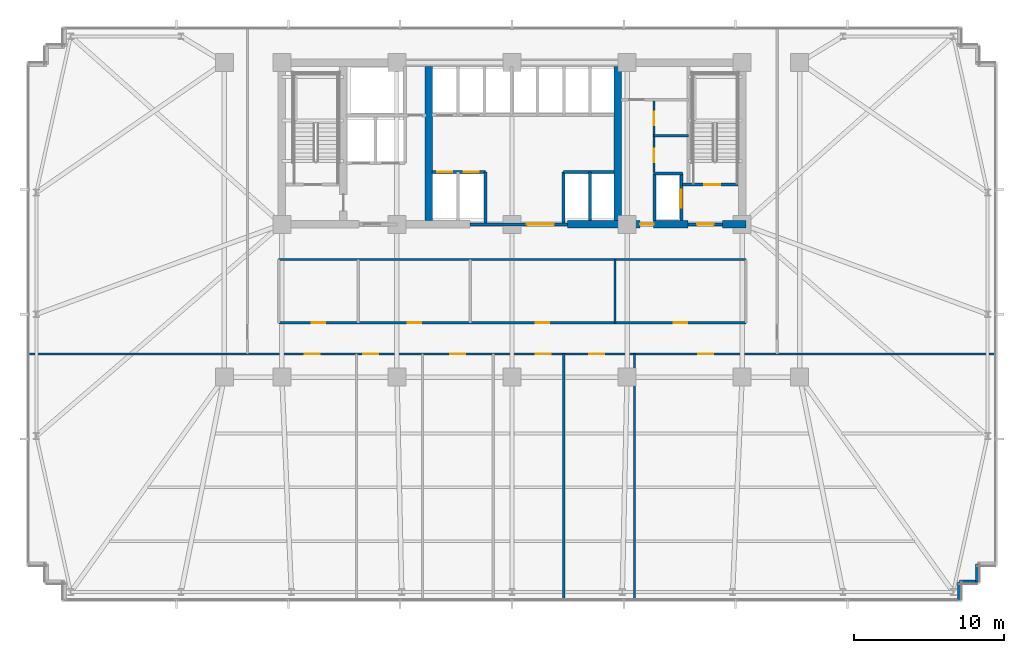
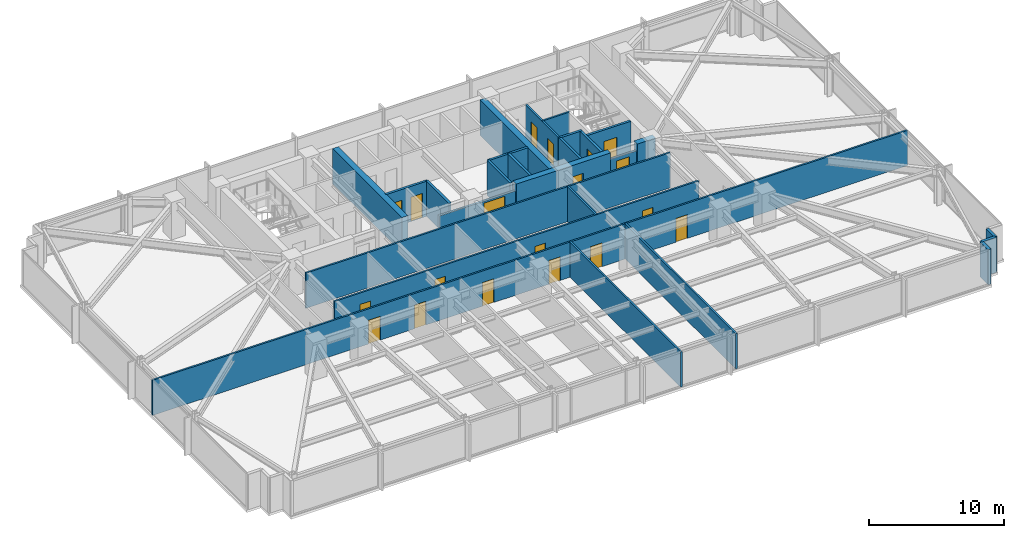
# One storey, part 25 of 32: 26 walls, 19 doors, 19 openings.
"""IFC4 building model written with IfcOpenShell, lengths in metres."""

from ifc_helpers import new_model, si_unit, direction, frame, frame_2d, origin, place, context, subcontext, project, spatial, rectangle, extrude, material, layer, layer_set, type_object, element, fill, save


model = new_model("IFC4")

# Units and contexts
model_context = context("Model", 3, precision=1e-05, world=origin(), true_north=direction((0.0, 1.0)))
body_context = subcontext(model_context, "Body", "Model", "MODEL_VIEW")
ifc_project = project(units=[si_unit("LENGTHUNIT", "METRE"), si_unit("AREAUNIT", "SQUARE_METRE"), si_unit("VOLUMEUNIT", "CUBIC_METRE"), si_unit("PLANEANGLEUNIT", "RADIAN"), si_unit("MASSUNIT", "GRAM", prefix="KILO")], contexts=[model_context])

# Site, building, storey
site_placement = place(None, origin())
site = spatial("IfcSite", under=ifc_project, at=site_placement, CompositionType="ELEMENT")
building_placement = place(site_placement, origin())
building = spatial("IfcBuilding", under=site, at=building_placement, Name="Yelkora Congress Tower", CompositionType="ELEMENT")
storey_placement = place(building_placement, frame((0.0, 0.0, 57.60009765625)))
storey = spatial("IfcBuildingStorey", under=building, at=storey_placement, Name="L14", CompositionType="ELEMENT", Elevation=57.60009765625)

# Wall, opening, door
ifc_material_1 = material(Name="Concrete C60/75", Category="concrete")
ifc_layer_1 = layer(ifc_material_1, 0.5)
ifc_layer_set_1 = layer_set([ifc_layer_1], Name="Concrete C60/75")
wall_type_1 = type_object("IfcWallType", Name="WALL-CORE-INT-500", PredefinedType="SHEAR", material=ifc_layer_set_1)
wall_1_placement = place(storey_placement, frame((42.10009765625, 35.39990234375, 0.0), z_axis=(0.0, 0.0, 1.0), x_axis=(1.0, 0.0, 0.0)))
wall_1 = element("IfcWall", 1, at=wall_1_placement, inside=storey, type_object=wall_type_1, Name="L14 Rear Core South-East Shear Wall A", PredefinedType="SHEAR", context=body_context, shape_type="SweptSolid", body=[
    extrude(rectangle(XDim=8.0498046875, YDim=0.5, at=frame_2d((4.02490234375, 0.0))), origin(), (0.0, 0.0, 1.0), 3.179931640625),
])
opening_1_placement = place(wall_1_placement, frame((4.85009765625, 0.0, 0.0)))
opening_1 = element("IfcOpeningElement", 2, at=opening_1_placement, cuts=wall_1, Name="Opening DR-090F6", PredefinedType="OPENING", context=body_context, shape_type="SweptSolid", body=[
    extrude(rectangle(XDim=0.89990234375, YDim=2.14990234375, at=frame_2d((0.449951171875, 1.074951171875))), frame((0.0, 0.260009765625, 0.0), z_axis=(0.0, -1.0, 0.0), x_axis=(1.0, 0.0, 0.0)), (0.0, 0.0, 1.0), 0.52001953125),
])
ifc_material_2 = material(Name="Painted steel riser fire door leaf", Category="steel")
door_type_1 = type_object("IfcDoorType", Name="DOOR-FD60-900", OperationType="NOTDEFINED", PredefinedType="DOOR", material=ifc_material_2)
door_1_placement = place(opening_1_placement, origin())
door_1 = element("IfcDoor", 3, at=door_1_placement, inside=storey, type_object=door_type_1, Name="L14 Core Washroom Lobby Door", OperationType="SINGLE_SWING_RIGHT", OverallHeight=2.14990234375, OverallWidth=0.89990234375, PredefinedType="DOOR", context=body_context, shape_type="SweptSolid", body=[
    extrude(rectangle(XDim=0.89990234375, YDim=2.14990234375, at=frame_2d((0.449951171875, 1.074951171875))), frame((0.0, 0.02490234375, 0.0), z_axis=(0.0, -1.0, 0.0), x_axis=(1.0, 0.0, 0.0)), (0.0, 0.0, 1.0), 0.050048828125),
])
fill(opening_1, door_1)

# Walls
wall_2_placement = place(storey_placement, frame((52.449951171875, 35.39990234375, 0.0), z_axis=(0.0, 0.0, 1.0), x_axis=(1.0, 0.0, 0.0)))
element("IfcWall", 4, at=wall_2_placement, inside=storey, type_object=wall_type_1, Name="L14 Rear Core South-East Shear Wall B", PredefinedType="SHEAR", context=body_context, shape_type="SweptSolid", body=[
    extrude(rectangle(XDim=1.56005859375, YDim=0.5, at=frame_2d((0.780029296875, 0.0))), origin(), (0.0, 0.0, 1.0), 3.179931640625),
])
for number, where, z_axis, x_axis, name in (
    (5, (32.85009765625, 35.64990234375, 0.0), (0.0, 0.0, 1.0), (0.0, 1.0, 0.0), "L14 Rear Core Cross Shear Wall C2"),
    (6, (45.449951171875, 35.64990234375, 0.0), (0.0, 0.0, 1.0), (0.0, 1.0, 0.0), "L14 Rear Core Cross Shear Wall C3"),
):
    element("IfcWall", number, at=place(storey_placement, frame(where, z_axis=z_axis, x_axis=x_axis)), inside=storey, type_object=wall_type_1, Name=name, PredefinedType="SHEAR", context=body_context, shape_type="SweptSolid", body=[
        extrude(rectangle(XDim=10.300048828125, YDim=0.5, at=frame_2d((5.14990234375, 0.0))), origin(), (0.0, 0.0, 1.0), 3.179931640625),
    ])
ifc_material_3 = material(Name="Concrete C40/50", Category="concrete")
ifc_layer_2 = layer(ifc_material_3, 0.239990234375)
ifc_layer_set_2 = layer_set([ifc_layer_2], Name="Concrete C40/50")
wall_type_2 = type_object("IfcWallType", Name="WALL-EXT-LIMESTONE-240", PredefinedType="SOLIDWALL", material=ifc_layer_set_2)
for number, where, z_axis, x_axis, name in (
    (7, (69.4599609375, 12.739990234375, 0.0), (0.0, 0.0, 1.0), (0.0, -1.0, 0.0), "L14 Serrated Corner Limestone Pier 17"),
    (8, (69.4599609375, 11.5400390625, 0.0), (0.0, 0.0, 1.0), (-1.0, 0.0, 0.0), "L14 Serrated Corner Limestone Pier 18"),
    (9, (68.260009765625, 11.5400390625, 0.0), (0.0, 0.0, 1.0), (0.0, -1.0, 0.0), "L14 Serrated Corner Limestone Pier 19"),
):
    element("IfcWall", number, at=place(storey_placement, frame(where, z_axis=z_axis, x_axis=x_axis)), inside=storey, type_object=wall_type_2, Name=name, PredefinedType="SOLIDWALL", context=body_context, shape_type="SweptSolid", body=[
        extrude(rectangle(XDim=1.199951171875, YDim=0.239990234375, at=frame_2d((0.60009765625, 0.0))), origin(), (0.0, 0.0, 1.0), 3.179931640625),
    ])
ifc_material_4 = material(Name="Acoustic metal-stud gypsum partition", Category="gypsum")
ifc_layer_3 = layer(ifc_material_4, 0.14990234375)
ifc_layer_set_3 = layer_set([ifc_layer_3], Name="Acoustic metal-stud gypsum partition")
wall_type_3 = type_object("IfcWallType", Name="WALL-INT-150-NR", PredefinedType="PARTITIONING", material=ifc_layer_set_3)
wall_3_placement = place(storey_placement, frame((47.8798828125, 41.320068359375, 0.0), z_axis=(0.0, 0.0, 1.0), x_axis=(1.0, 0.0, 0.0)))
element("IfcWall", 10, at=wall_3_placement, inside=storey, type_object=wall_type_3, Name="L14 Partition Wall 29", PredefinedType="PARTITIONING", context=body_context, shape_type="SweptSolid", body=[
    extrude(rectangle(XDim=2.300048828125, YDim=0.14990234375, at=frame_2d((1.14990234375, 0.0))), origin(), (0.0, 0.0, 1.0), 3.179931640625),
])

# Wall, openings, doors
wall_4_placement = place(storey_placement, frame((47.8798828125, 38.85009765625, 0.0), z_axis=(0.0, 0.0, 1.0), x_axis=(0.0, 1.0, 0.0)))
wall_4 = element("IfcWall", 11, at=wall_4_placement, inside=storey, type_object=wall_type_3, Name="L14 Partition Wall 30", PredefinedType="PARTITIONING", context=body_context, shape_type="SweptSolid", body=[
    extrude(rectangle(XDim=4.869873046875, YDim=0.14990234375, at=frame_2d((2.43505859375, 0.0))), origin(), (0.0, 0.0, 1.0), 3.179931640625),
])
opening_2_placement = place(wall_4_placement, frame((0.699951171875, 0.0, 0.0)))
opening_2 = element("IfcOpeningElement", 12, at=opening_2_placement, cuts=wall_4, Name="Opening DR-090N", PredefinedType="OPENING", context=body_context, shape_type="SweptSolid", body=[
    extrude(rectangle(XDim=0.89990234375, YDim=2.14990234375, at=frame_2d((0.449951171875, 1.074951171875))), frame((0.0, 0.0849609375, 0.0), z_axis=(0.0, -1.0, 0.0), x_axis=(1.0, 0.0, 0.0)), (0.0, 0.0, 1.0), 0.169921875),
])
opening_3_placement = place(wall_4_placement, frame((3.14990234375, 0.0, 0.0)))
opening_3 = element("IfcOpeningElement", 13, at=opening_3_placement, cuts=wall_4, Name="Opening DR-090N", PredefinedType="OPENING", context=body_context, shape_type="SweptSolid", body=[
    extrude(rectangle(XDim=0.89990234375, YDim=2.14990234375, at=frame_2d((0.449951171875, 1.074951171875))), frame((0.0, 0.0849609375, 0.0), z_axis=(0.0, -1.0, 0.0), x_axis=(1.0, 0.0, 0.0)), (0.0, 0.0, 1.0), 0.169921875),
])
ifc_material_5 = material(Name="Moisture-resistant laminate door leaf", Category="wood")
door_type_2 = type_object("IfcDoorType", Name="DOOR-INT-900", OperationType="NOTDEFINED", PredefinedType="DOOR", material=ifc_material_5)
door_2_placement = place(opening_2_placement, origin())
door_2 = element("IfcDoor", 14, at=door_2_placement, inside=storey, type_object=door_type_2, Name="L14 Male WC Door", OperationType="SINGLE_SWING_LEFT", OverallHeight=2.14990234375, OverallWidth=0.89990234375, PredefinedType="DOOR", context=body_context, shape_type="SweptSolid", body=[
    extrude(rectangle(XDim=0.89990234375, YDim=2.14990234375, at=frame_2d((0.449951171875, 1.074951171875))), frame((0.0, 0.02490234375, 0.0), z_axis=(0.0, -1.0, 0.0), x_axis=(1.0, 0.0, 0.0)), (0.0, 0.0, 1.0), 0.050048828125),
])
fill(opening_2, door_2)
door_3_placement = place(opening_3_placement, origin())
door_3 = element("IfcDoor", 15, at=door_3_placement, inside=storey, type_object=door_type_2, Name="L14 Female WC Door", OperationType="SINGLE_SWING_RIGHT", OverallHeight=2.14990234375, OverallWidth=0.89990234375, PredefinedType="DOOR", context=body_context, shape_type="SweptSolid", body=[
    extrude(rectangle(XDim=0.89990234375, YDim=2.14990234375, at=frame_2d((0.449951171875, 1.074951171875))), frame((0.0, 0.02490234375, 0.0), z_axis=(0.0, -1.0, 0.0), x_axis=(1.0, 0.0, 0.0)), (0.0, 0.0, 1.0), 0.050048828125),
])
fill(opening_3, door_3)

# Walls
for number, where, z_axis, x_axis, name in (
    (16, (41.862060546875, 10.280029296875, 0.0), (0.0, 0.0, 1.0), (0.0, 1.0, 0.0), "L14 Partition Wall 34"),
    (17, (46.580078125, 10.280029296875, 0.0), (0.0, 0.0, 1.0), (0.0, 1.0, 0.0), "L14 Partition Wall 35"),
):
    element("IfcWall", number, at=place(storey_placement, frame(where, z_axis=z_axis, x_axis=x_axis)), inside=storey, type_object=wall_type_3, Name=name, PredefinedType="PARTITIONING", context=body_context, shape_type="SweptSolid", body=[
        extrude(rectangle(XDim=16.489990234375, YDim=0.14990234375, at=frame_2d((8.2451171875, 0.0))), origin(), (0.0, 0.0, 1.0), 3.179931640625),
    ])

# Wall, openings, doors
wall_5_placement = place(storey_placement, frame((6.080078125, 26.75, 0.0), z_axis=(0.0, 0.0, 1.0), x_axis=(1.0, 0.0, 0.0)))
wall_5 = element("IfcWall", 18, at=wall_5_placement, inside=storey, type_object=wall_type_3, Name="L14 South Spine Wall", PredefinedType="PARTITIONING", context=body_context, shape_type="SweptSolid", body=[
    extrude(rectangle(XDim=64.639892578125, YDim=0.14990234375, at=frame_2d((32.31982421875, 0.0))), origin(), (0.0, 0.0, 1.0), 3.179931640625),
])
opening_4_placement = place(wall_5_placement, frame((18.478759765625, 0.0, 0.0)))
opening_4 = element("IfcOpeningElement", 19, at=opening_4_placement, cuts=wall_5, Name="Opening DR-100N", PredefinedType="OPENING", context=body_context, shape_type="SweptSolid", body=[
    extrude(rectangle(XDim=1.0, YDim=2.14990234375, at=frame_2d((0.5, 1.074951171875))), frame((0.0, 0.0849609375, 0.0), z_axis=(0.0, -1.0, 0.0), x_axis=(1.0, 0.0, 0.0)), (0.0, 0.0, 1.0), 0.169921875),
])
opening_5_placement = place(wall_5_placement, frame((22.39404296875, 0.0, 0.0)))
opening_5 = element("IfcOpeningElement", 20, at=opening_5_placement, cuts=wall_5, Name="Opening DR-100N", PredefinedType="OPENING", context=body_context, shape_type="SweptSolid", body=[
    extrude(rectangle(XDim=1.0, YDim=2.14990234375, at=frame_2d((0.5, 1.074951171875))), frame((0.0, 0.0849609375, 0.0), z_axis=(0.0, -1.0, 0.0), x_axis=(1.0, 0.0, 0.0)), (0.0, 0.0, 1.0), 0.169921875),
])
opening_6_placement = place(wall_5_placement, frame((28.2060546875, 0.0, 0.0)))
opening_6 = element("IfcOpeningElement", 21, at=opening_6_placement, cuts=wall_5, Name="Opening DR-100N", PredefinedType="OPENING", context=body_context, shape_type="SweptSolid", body=[
    extrude(rectangle(XDim=1.0, YDim=2.14990234375, at=frame_2d((0.5, 1.074951171875))), frame((0.0, 0.0849609375, 0.0), z_axis=(0.0, -1.0, 0.0), x_axis=(1.0, 0.0, 0.0)), (0.0, 0.0, 1.0), 0.169921875),
])
opening_7_placement = place(wall_5_placement, frame((33.891845703125, 0.0, 0.0)))
opening_7 = element("IfcOpeningElement", 22, at=opening_7_placement, cuts=wall_5, Name="Opening DR-100N", PredefinedType="OPENING", context=body_context, shape_type="SweptSolid", body=[
    extrude(rectangle(XDim=1.0, YDim=2.14990234375, at=frame_2d((0.5, 1.074951171875))), frame((0.0, 0.0849609375, 0.0), z_axis=(0.0, -1.0, 0.0), x_axis=(1.0, 0.0, 0.0)), (0.0, 0.0, 1.0), 0.169921875),
])
opening_8_placement = place(wall_5_placement, frame((37.46484375, 0.0, 0.0)))
opening_8 = element("IfcOpeningElement", 23, at=opening_8_placement, cuts=wall_5, Name="Opening DR-100N", PredefinedType="OPENING", context=body_context, shape_type="SweptSolid", body=[
    extrude(rectangle(XDim=1.0, YDim=2.14990234375, at=frame_2d((0.5, 1.074951171875))), frame((0.0, 0.0849609375, 0.0), z_axis=(0.0, -1.0, 0.0), x_axis=(1.0, 0.0, 0.0)), (0.0, 0.0, 1.0), 0.169921875),
])
opening_9_placement = place(wall_5_placement, frame((44.760009765625, 0.0, 0.0)))
opening_9 = element("IfcOpeningElement", 24, at=opening_9_placement, cuts=wall_5, Name="Opening DR-100N", PredefinedType="OPENING", context=body_context, shape_type="SweptSolid", body=[
    extrude(rectangle(XDim=1.0, YDim=2.14990234375, at=frame_2d((0.5, 1.074951171875))), frame((0.0, 0.0849609375, 0.0), z_axis=(0.0, -1.0, 0.0), x_axis=(1.0, 0.0, 0.0)), (0.0, 0.0, 1.0), 0.169921875),
])
ifc_material_6 = material(Name="Solid-core Anatolian oak veneer door", Category="wood")
door_type_3 = type_object("IfcDoorType", Name="DOOR-INT-1000", OperationType="NOTDEFINED", PredefinedType="DOOR", material=ifc_material_6)
door_4_placement = place(opening_4_placement, origin())
door_4 = element("IfcDoor", 25, at=door_4_placement, inside=storey, type_object=door_type_3, Name="L14 Catering Kitchenette Door", OperationType="SINGLE_SWING_LEFT", OverallHeight=2.14990234375, OverallWidth=1.0, PredefinedType="DOOR", context=body_context, shape_type="SweptSolid", body=[
    extrude(rectangle(XDim=1.0, YDim=2.14990234375, at=frame_2d((0.5, 1.074951171875))), frame((0.0, 0.02490234375, 0.0), z_axis=(0.0, -1.0, 0.0), x_axis=(1.0, 0.0, 0.0)), (0.0, 0.0, 1.0), 0.050048828125),
])
fill(opening_4, door_4)
door_5_placement = place(opening_5_placement, origin())
door_5 = element("IfcDoor", 26, at=door_5_placement, inside=storey, type_object=door_type_3, Name="L14 Catering Kitchenette Door", OperationType="SINGLE_SWING_RIGHT", OverallHeight=2.14990234375, OverallWidth=1.0, PredefinedType="DOOR", context=body_context, shape_type="SweptSolid", body=[
    extrude(rectangle(XDim=1.0, YDim=2.14990234375, at=frame_2d((0.5, 1.074951171875))), frame((0.0, 0.02490234375, 0.0), z_axis=(0.0, -1.0, 0.0), x_axis=(1.0, 0.0, 0.0)), (0.0, 0.0, 1.0), 0.050048828125),
])
fill(opening_5, door_5)
door_6_placement = place(opening_6_placement, origin())
door_6 = element("IfcDoor", 27, at=door_6_placement, inside=storey, type_object=door_type_3, Name="L14 Focus Office Door", OperationType="SINGLE_SWING_LEFT", OverallHeight=2.14990234375, OverallWidth=1.0, PredefinedType="DOOR", context=body_context, shape_type="SweptSolid", body=[
    extrude(rectangle(XDim=1.0, YDim=2.14990234375, at=frame_2d((0.5, 1.074951171875))), frame((0.0, 0.02490234375, 0.0), z_axis=(0.0, -1.0, 0.0), x_axis=(1.0, 0.0, 0.0)), (0.0, 0.0, 1.0), 0.050048828125),
])
fill(opening_6, door_6)
door_7_placement = place(opening_7_placement, origin())
door_7 = element("IfcDoor", 28, at=door_7_placement, inside=storey, type_object=door_type_3, Name="L14 Store IT Door", OperationType="SINGLE_SWING_RIGHT", OverallHeight=2.14990234375, OverallWidth=1.0, PredefinedType="DOOR", context=body_context, shape_type="SweptSolid", body=[
    extrude(rectangle(XDim=1.0, YDim=2.14990234375, at=frame_2d((0.5, 1.074951171875))), frame((0.0, 0.02490234375, 0.0), z_axis=(0.0, -1.0, 0.0), x_axis=(1.0, 0.0, 0.0)), (0.0, 0.0, 1.0), 0.050048828125),
])
fill(opening_7, door_7)
door_8_placement = place(opening_8_placement, origin())
door_8 = element("IfcDoor", 29, at=door_8_placement, inside=storey, type_object=door_type_3, Name="L14 Open-Plan Office Door", OperationType="SINGLE_SWING_LEFT", OverallHeight=2.14990234375, OverallWidth=1.0, PredefinedType="DOOR", context=body_context, shape_type="SweptSolid", body=[
    extrude(rectangle(XDim=1.0, YDim=2.14990234375, at=frame_2d((0.5, 1.074951171875))), frame((0.0, 0.02490234375, 0.0), z_axis=(0.0, -1.0, 0.0), x_axis=(1.0, 0.0, 0.0)), (0.0, 0.0, 1.0), 0.050048828125),
])
fill(opening_8, door_8)
door_9_placement = place(opening_9_placement, origin())
door_9 = element("IfcDoor", 30, at=door_9_placement, inside=storey, type_object=door_type_3, Name="L14 Open-Plan Office Door", OperationType="SINGLE_SWING_RIGHT", OverallHeight=2.14990234375, OverallWidth=1.0, PredefinedType="DOOR", context=body_context, shape_type="SweptSolid", body=[
    extrude(rectangle(XDim=1.0, YDim=2.14990234375, at=frame_2d((0.5, 1.074951171875))), frame((0.0, 0.02490234375, 0.0), z_axis=(0.0, -1.0, 0.0), x_axis=(1.0, 0.0, 0.0)), (0.0, 0.0, 1.0), 0.050048828125),
])
fill(opening_9, door_9)

# Walls
wall_6_placement = place(storey_placement, frame((22.830078125, 33.050048828125, 0.0), z_axis=(0.0, 0.0, 1.0), x_axis=(1.0, 0.0, 0.0)))
element("IfcWall", 31, at=wall_6_placement, inside=storey, type_object=wall_type_3, Name="L14 Partition Wall 41", PredefinedType="PARTITIONING", context=body_context, shape_type="SweptSolid", body=[
    extrude(rectangle(XDim=31.18994140625, YDim=0.14990234375, at=frame_2d((15.594970703125, 0.0))), origin(), (0.0, 0.0, 1.0), 3.179931640625),
])
wall_7_placement = place(storey_placement, frame((45.281982421875, 28.830078125, 0.0), z_axis=(0.0, 0.0, 1.0), x_axis=(0.0, 1.0, 0.0)))
element("IfcWall", 32, at=wall_7_placement, inside=storey, type_object=wall_type_3, Name="L14 Partition Wall 44", PredefinedType="PARTITIONING", context=body_context, shape_type="SweptSolid", body=[
    extrude(rectangle(XDim=4.219970703125, YDim=0.14990234375, at=frame_2d((2.10986328125, 0.0))), origin(), (0.0, 0.0, 1.0), 3.179931640625),
])

# Wall, openings, doors
wall_8_placement = place(storey_placement, frame((22.840087890625, 28.830078125, 0.0), z_axis=(0.0, 0.0, 1.0), x_axis=(1.0, 0.0, 0.0)))
wall_8 = element("IfcWall", 33, at=wall_8_placement, inside=storey, type_object=wall_type_3, Name="L14 Partition Wall 45", PredefinedType="PARTITIONING", context=body_context, shape_type="SweptSolid", body=[
    extrude(rectangle(XDim=31.169921875, YDim=0.14990234375, at=frame_2d((15.5849609375, 0.0))), origin(), (0.0, 0.0, 1.0), 3.179931640625),
])
opening_10_placement = place(wall_8_placement, frame((2.199462890625, 0.0, 0.0)))
opening_10 = element("IfcOpeningElement", 34, at=opening_10_placement, cuts=wall_8, Name="Opening DR-090N", PredefinedType="OPENING", context=body_context, shape_type="SweptSolid", body=[
    extrude(rectangle(XDim=0.89990234375, YDim=2.14990234375, at=frame_2d((0.449951171875, 1.074951171875))), frame((0.0, 0.0849609375, 0.0), z_axis=(0.0, -1.0, 0.0), x_axis=(1.0, 0.0, 0.0)), (0.0, 0.0, 1.0), 0.169921875),
])
opening_11_placement = place(wall_8_placement, frame((8.589599609375, 0.0, 0.0)))
opening_11 = element("IfcOpeningElement", 35, at=opening_11_placement, cuts=wall_8, Name="Opening DR-090N", PredefinedType="OPENING", context=body_context, shape_type="SweptSolid", body=[
    extrude(rectangle(XDim=0.89990234375, YDim=2.14990234375, at=frame_2d((0.449951171875, 1.074951171875))), frame((0.0, 0.0849609375, 0.0), z_axis=(0.0, -1.0, 0.0), x_axis=(1.0, 0.0, 0.0)), (0.0, 0.0, 1.0), 0.169921875),
])
opening_12_placement = place(wall_8_placement, frame((17.160888671875, 0.0, 0.0)))
opening_12 = element("IfcOpeningElement", 36, at=opening_12_placement, cuts=wall_8, Name="Opening DR-090N", PredefinedType="OPENING", context=body_context, shape_type="SweptSolid", body=[
    extrude(rectangle(XDim=0.89990234375, YDim=2.14990234375, at=frame_2d((0.449951171875, 1.074951171875))), frame((0.0, 0.0849609375, 0.0), z_axis=(0.0, -1.0, 0.0), x_axis=(1.0, 0.0, 0.0)), (0.0, 0.0, 1.0), 0.169921875),
])
opening_13_placement = place(wall_8_placement, frame((26.35595703125, 0.0, 0.0)))
opening_13 = element("IfcOpeningElement", 37, at=opening_13_placement, cuts=wall_8, Name="Opening DR-090N", PredefinedType="OPENING", context=body_context, shape_type="SweptSolid", body=[
    extrude(rectangle(XDim=0.89990234375, YDim=2.14990234375, at=frame_2d((0.449951171875, 1.074951171875))), frame((0.0, 0.0849609375, 0.0), z_axis=(0.0, -1.0, 0.0), x_axis=(1.0, 0.0, 0.0)), (0.0, 0.0, 1.0), 0.169921875),
])
door_10_placement = place(opening_10_placement, origin())
door_10 = element("IfcDoor", 38, at=door_10_placement, inside=storey, type_object=door_type_2, Name="L14 Fitness Yoga Studio Door", OperationType="SINGLE_SWING_LEFT", OverallHeight=2.14990234375, OverallWidth=0.89990234375, PredefinedType="DOOR", context=body_context, shape_type="SweptSolid", body=[
    extrude(rectangle(XDim=0.89990234375, YDim=2.14990234375, at=frame_2d((0.449951171875, 1.074951171875))), frame((0.0, 0.02490234375, 0.0), z_axis=(0.0, -1.0, 0.0), x_axis=(1.0, 0.0, 0.0)), (0.0, 0.0, 1.0), 0.050048828125),
])
fill(opening_10, door_10)
door_11_placement = place(opening_11_placement, origin())
door_11 = element("IfcDoor", 39, at=door_11_placement, inside=storey, type_object=door_type_2, Name="L14 Executive Library Door", OperationType="SINGLE_SWING_RIGHT", OverallHeight=2.14990234375, OverallWidth=0.89990234375, PredefinedType="DOOR", context=body_context, shape_type="SweptSolid", body=[
    extrude(rectangle(XDim=0.89990234375, YDim=2.14990234375, at=frame_2d((0.449951171875, 1.074951171875))), frame((0.0, 0.02490234375, 0.0), z_axis=(0.0, -1.0, 0.0), x_axis=(1.0, 0.0, 0.0)), (0.0, 0.0, 1.0), 0.050048828125),
])
fill(opening_11, door_11)
door_12_placement = place(opening_12_placement, origin())
door_12 = element("IfcDoor", 40, at=door_12_placement, inside=storey, type_object=door_type_2, Name="L14 Delegate Kiosk Door", OperationType="SINGLE_SWING_LEFT", OverallHeight=2.14990234375, OverallWidth=0.89990234375, PredefinedType="DOOR", context=body_context, shape_type="SweptSolid", body=[
    extrude(rectangle(XDim=0.89990234375, YDim=2.14990234375, at=frame_2d((0.449951171875, 1.074951171875))), frame((0.0, 0.02490234375, 0.0), z_axis=(0.0, -1.0, 0.0), x_axis=(1.0, 0.0, 0.0)), (0.0, 0.0, 1.0), 0.050048828125),
])
fill(opening_12, door_12)
door_13_placement = place(opening_13_placement, origin())
door_13 = element("IfcDoor", 41, at=door_13_placement, inside=storey, type_object=door_type_2, Name="L14 Fitness Yoga Studio Door", OperationType="SINGLE_SWING_RIGHT", OverallHeight=2.14990234375, OverallWidth=0.89990234375, PredefinedType="DOOR", context=body_context, shape_type="SweptSolid", body=[
    extrude(rectangle(XDim=0.89990234375, YDim=2.14990234375, at=frame_2d((0.449951171875, 1.074951171875))), frame((0.0, 0.02490234375, 0.0), z_axis=(0.0, -1.0, 0.0), x_axis=(1.0, 0.0, 0.0)), (0.0, 0.0, 1.0), 0.050048828125),
])
fill(opening_13, door_13)

# Wall, opening, door
ifc_material_7 = material(Name="Autoclaved aerated concrete blockwork", Category="masonry")
ifc_layer_4 = layer(ifc_material_7, 0.199951171875)
ifc_layer_set_4 = layer_set([ifc_layer_4], Name="Autoclaved aerated concrete blockwork")
wall_type_4 = type_object("IfcWallType", Name="WALL-INT-200-R120", PredefinedType="PARTITIONING", material=ifc_layer_set_4)
wall_9_placement = place(storey_placement, frame((35.60009765625, 35.39990234375, 0.0), z_axis=(0.0, 0.0, 1.0), x_axis=(1.0, 0.0, 0.0)))
wall_9 = element("IfcWall", 42, at=wall_9_placement, inside=storey, type_object=wall_type_4, Name="L14 Main Lift Lobby South Portal Wall", PredefinedType="PARTITIONING", context=body_context, shape_type="SweptSolid", body=[
    extrude(rectangle(XDim=6.5, YDim=0.199951171875, at=frame_2d((3.25, 0.0))), origin(), (0.0, 0.0, 1.0), 2.474853515625),
])
opening_14_placement = place(wall_9_placement, frame((3.800048828125, 0.0, 0.0)))
opening_14 = element("IfcOpeningElement", 43, at=opening_14_placement, cuts=wall_9, Name="Opening DR-180D", PredefinedType="OPENING", context=body_context, shape_type="SweptSolid", body=[
    extrude(rectangle(XDim=1.800048828125, YDim=2.300048828125, at=frame_2d((0.89990234375, 1.14990234375))), frame((0.0, 0.10986328125, 0.0), z_axis=(0.0, -1.0, 0.0), x_axis=(1.0, 0.0, 0.0)), (0.0, 0.0, 1.0), 0.219970703125),
])
ifc_material_8 = material(Name="Acoustic double congress hall doors", Category="wood")
door_type_4 = type_object("IfcDoorType", Name="DOOR-DBL-1800", OperationType="DOUBLE_DOOR_SINGLE_SWING", PredefinedType="DOOR", material=ifc_material_8)
door_14_placement = place(opening_14_placement, origin())
door_14 = element("IfcDoor", 44, at=door_14_placement, inside=storey, type_object=door_type_4, Name="L14 Main Lift Lobby Portal Door", OperationType="DOUBLE_DOOR_SINGLE_SWING", OverallHeight=2.300048828125, OverallWidth=1.800048828125, PredefinedType="DOOR", context=body_context, shape_type="SweptSolid", body=[
    extrude(rectangle(XDim=1.800048828125, YDim=2.300048828125, at=frame_2d((0.89990234375, 1.14990234375))), frame((0.0, 0.02490234375, 0.0), z_axis=(0.0, -1.0, 0.0), x_axis=(1.0, 0.0, 0.0)), (0.0, 0.0, 1.0), 0.050048828125),
])
fill(opening_14, door_14)

# Wall, openings, doors
wall_10_placement = place(storey_placement, frame((33.050048828125, 38.89990234375, 0.0), z_axis=(0.0, 0.0, 1.0), x_axis=(1.0, 0.0, 0.0)))
wall_10 = element("IfcWall", 45, at=wall_10_placement, inside=storey, type_object=wall_type_4, Name="L14 Partition Wall 11", PredefinedType="PARTITIONING", context=body_context, shape_type="SweptSolid", body=[
    extrude(rectangle(XDim=3.570068359375, YDim=0.199951171875, at=frame_2d((1.78515625, 0.0))), origin(), (0.0, 0.0, 1.0), 3.179931640625),
])
opening_15_placement = place(wall_10_placement, frame((0.375, 0.0, 0.0)))
opening_15 = element("IfcOpeningElement", 46, at=opening_15_placement, cuts=wall_10, Name="Opening LD-PS10", PredefinedType="OPENING", context=body_context, shape_type="SweptSolid", body=[
    extrude(rectangle(XDim=1.0, YDim=2.199951171875, at=frame_2d((0.5, 1.10009765625))), frame((0.0, 0.10986328125, 0.0), z_axis=(0.0, -1.0, 0.0), x_axis=(1.0, 0.0, 0.0)), (0.0, 0.0, 1.0), 0.219970703125),
])
opening_16_placement = place(wall_10_placement, frame((2.125, 0.0, 0.0)))
opening_16 = element("IfcOpeningElement", 47, at=opening_16_placement, cuts=wall_10, Name="Opening LD-PS10", PredefinedType="OPENING", context=body_context, shape_type="SweptSolid", body=[
    extrude(rectangle(XDim=1.0, YDim=2.199951171875, at=frame_2d((0.5, 1.10009765625))), frame((0.0, 0.10986328125, 0.0), z_axis=(0.0, -1.0, 0.0), x_axis=(1.0, 0.0, 0.0)), (0.0, 0.0, 1.0), 0.219970703125),
])
ifc_material_9 = material(Name="Champagne stainless steel landing door", Category="steel")
door_type_5 = type_object("IfcDoorType", Name="DOOR-LIFT-PAS-1000", OperationType="DOUBLE_DOOR_SLIDING", PredefinedType="DOOR", material=ifc_material_9)
door_15_placement = place(opening_15_placement, origin())
door_15 = element("IfcDoor", 48, at=door_15_placement, inside=storey, type_object=door_type_5, Name="Lift Landing Door LF-P1 L14", OperationType="DOUBLE_DOOR_SLIDING", OverallHeight=2.199951171875, OverallWidth=1.0, PredefinedType="DOOR", context=body_context, shape_type="SweptSolid", body=[
    extrude(rectangle(XDim=1.0, YDim=2.199951171875, at=frame_2d((0.5, 1.10009765625))), frame((0.0, 0.02490234375, 0.0), z_axis=(0.0, -1.0, 0.0), x_axis=(1.0, 0.0, 0.0)), (0.0, 0.0, 1.0), 0.050048828125),
])
fill(opening_15, door_15)
door_16_placement = place(opening_16_placement, origin())
door_16 = element("IfcDoor", 49, at=door_16_placement, inside=storey, type_object=door_type_5, Name="Lift Landing Door LF-P2 L14", OperationType="DOUBLE_DOOR_SLIDING", OverallHeight=2.199951171875, OverallWidth=1.0, PredefinedType="DOOR", context=body_context, shape_type="SweptSolid", body=[
    extrude(rectangle(XDim=1.0, YDim=2.199951171875, at=frame_2d((0.5, 1.10009765625))), frame((0.0, 0.02490234375, 0.0), z_axis=(0.0, -1.0, 0.0), x_axis=(1.0, 0.0, 0.0)), (0.0, 0.0, 1.0), 0.050048828125),
])
fill(opening_16, door_16)

# Walls
wall_11_placement = place(storey_placement, frame((36.6201171875, 35.5, 0.0), z_axis=(0.0, 0.0, 1.0), x_axis=(0.0, 1.0, 0.0)))
element("IfcWall", 50, at=wall_11_placement, inside=storey, type_object=wall_type_4, Name="L14 Partition Wall 15", PredefinedType="PARTITIONING", context=body_context, shape_type="SweptSolid", body=[
    extrude(rectangle(XDim=3.39990234375, YDim=0.199951171875, at=frame_2d((1.699951171875, 0.0))), origin(), (0.0, 0.0, 1.0), 3.179931640625),
])
wall_12_placement = place(storey_placement, frame((41.85009765625, 38.89990234375, 0.0), z_axis=(0.0, 0.0, 1.0), x_axis=(1.0, 0.0, 0.0)))
element("IfcWall", 51, at=wall_12_placement, inside=storey, type_object=wall_type_4, Name="L14 Partition Wall 17", PredefinedType="PARTITIONING", context=body_context, shape_type="SweptSolid", body=[
    extrude(rectangle(XDim=3.369873046875, YDim=0.199951171875, at=frame_2d((1.68505859375, 0.0))), origin(), (0.0, 0.0, 1.0), 3.179931640625),
])
wall_13_placement = place(storey_placement, frame((43.60009765625, 35.64990234375, 0.0), z_axis=(0.0, 0.0, 1.0), x_axis=(0.0, 1.0, 0.0)))
element("IfcWall", 52, at=wall_13_placement, inside=storey, type_object=wall_type_4, Name="L14 Partition Wall 19", PredefinedType="PARTITIONING", context=body_context, shape_type="SweptSolid", body=[
    extrude(rectangle(XDim=3.25, YDim=0.199951171875, at=frame_2d((1.625, 0.0))), origin(), (0.0, 0.0, 1.0), 3.179931640625),
])
wall_14_placement = place(storey_placement, frame((41.85009765625, 35.5, 0.0), z_axis=(0.0, 0.0, 1.0), x_axis=(0.0, 1.0, 0.0)))
element("IfcWall", 53, at=wall_14_placement, inside=storey, type_object=wall_type_4, Name="L14 Partition Wall 21", PredefinedType="PARTITIONING", context=body_context, shape_type="SweptSolid", body=[
    extrude(rectangle(XDim=3.39990234375, YDim=0.199951171875, at=frame_2d((1.699951171875, 0.0))), origin(), (0.0, 0.0, 1.0), 3.179931640625),
])

# Wall, opening, door
wall_15_placement = place(storey_placement, frame((49.780029296875, 38.050048828125, 0.0), z_axis=(0.0, 0.0, 1.0), x_axis=(1.0, 0.0, 0.0)))
wall_15 = element("IfcWall", 54, at=wall_15_placement, inside=storey, type_object=wall_type_4, Name="L14 Stair ST-02 Enclosure Wall", PredefinedType="PARTITIONING", context=body_context, shape_type="SweptSolid", body=[
    extrude(rectangle(XDim=3.719970703125, YDim=0.199951171875, at=frame_2d((1.85986328125, 0.0))), origin(), (0.0, 0.0, 1.0), 3.179931640625),
])
opening_17_placement = place(wall_15_placement, frame((1.436279296875, 0.0, 0.0)))
opening_17 = element("IfcOpeningElement", 55, at=opening_17_placement, cuts=wall_15, Name="Opening DR-110F9", PredefinedType="OPENING", context=body_context, shape_type="SweptSolid", body=[
    extrude(rectangle(XDim=1.10009765625, YDim=2.14990234375, at=frame_2d((0.550048828125, 1.074951171875))), frame((0.0, 0.10986328125, 0.0), z_axis=(0.0, -1.0, 0.0), x_axis=(1.0, 0.0, 0.0)), (0.0, 0.0, 1.0), 0.219970703125),
])
ifc_material_10 = material(Name="Galvanised steel fire door leaf", Category="steel")
door_type_6 = type_object("IfcDoorType", Name="DOOR-FD90-1100", OperationType="NOTDEFINED", PredefinedType="DOOR", material=ifc_material_10)
door_17_placement = place(opening_17_placement, origin())
door_17 = element("IfcDoor", 56, at=door_17_placement, inside=storey, type_object=door_type_6, Name="L14 Stair ST-02 Entry Door", OperationType="SINGLE_SWING_LEFT", OverallHeight=2.14990234375, OverallWidth=1.10009765625, PredefinedType="DOOR", context=body_context, shape_type="SweptSolid", body=[
    extrude(rectangle(XDim=1.10009765625, YDim=2.14990234375, at=frame_2d((0.550048828125, 1.074951171875))), frame((0.0, 0.02490234375, 0.0), z_axis=(0.0, -1.0, 0.0), x_axis=(1.0, 0.0, 0.0)), (0.0, 0.0, 1.0), 0.050048828125),
])
fill(opening_17, door_17)

wall_16_placement = place(storey_placement, frame((50.14990234375, 35.39990234375, 0.0), z_axis=(0.0, 0.0, 1.0), x_axis=(1.0, 0.0, 0.0)))
wall_16 = element("IfcWall", 57, at=wall_16_placement, inside=storey, type_object=wall_type_4, Name="L14 Partition Wall 24", PredefinedType="PARTITIONING", context=body_context, shape_type="SweptSolid", body=[
    extrude(rectangle(XDim=2.300048828125, YDim=0.199951171875, at=frame_2d((1.14990234375, 0.0))), origin(), (0.0, 0.0, 1.0), 2.474853515625),
])
opening_18_placement = place(wall_16_placement, frame((0.60009765625, 0.0, 0.0)))
opening_18 = element("IfcOpeningElement", 58, at=opening_18_placement, cuts=wall_16, Name="Opening DR-110F9", PredefinedType="OPENING", context=body_context, shape_type="SweptSolid", body=[
    extrude(rectangle(XDim=1.10009765625, YDim=2.14990234375, at=frame_2d((0.550048828125, 1.074951171875))), frame((0.0, 0.10986328125, 0.0), z_axis=(0.0, -1.0, 0.0), x_axis=(1.0, 0.0, 0.0)), (0.0, 0.0, 1.0), 0.219970703125),
])
door_18_placement = place(opening_18_placement, origin())
door_18 = element("IfcDoor", 59, at=door_18_placement, inside=storey, type_object=door_type_6, Name="L14 East Stair Lobby Door", OperationType="SINGLE_SWING_RIGHT", OverallHeight=2.14990234375, OverallWidth=1.10009765625, PredefinedType="DOOR", context=body_context, shape_type="SweptSolid", body=[
    extrude(rectangle(XDim=1.10009765625, YDim=2.14990234375, at=frame_2d((0.550048828125, 1.074951171875))), frame((0.0, 0.02490234375, 0.0), z_axis=(0.0, -1.0, 0.0), x_axis=(1.0, 0.0, 0.0)), (0.0, 0.0, 1.0), 0.050048828125),
])
fill(opening_18, door_18)

wall_17_placement = place(storey_placement, frame((49.699951171875, 35.64990234375, 0.0), z_axis=(0.0, 0.0, 1.0), x_axis=(0.0, 1.0, 0.0)))
wall_17 = element("IfcWall", 60, at=wall_17_placement, inside=storey, type_object=wall_type_4, Name="L14 Partition Wall 25", PredefinedType="PARTITIONING", context=body_context, shape_type="SweptSolid", body=[
    extrude(rectangle(XDim=3.150146484375, YDim=0.199951171875, at=frame_2d((1.5751953125, 0.0))), origin(), (0.0, 0.0, 1.0), 3.179931640625),
])
opening_19_placement = place(wall_17_placement, frame((0.85009765625, 0.0, 0.0)))
opening_19 = element("IfcOpeningElement", 61, at=opening_19_placement, cuts=wall_17, Name="Opening LD-SV12", PredefinedType="OPENING", context=body_context, shape_type="SweptSolid", body=[
    extrude(rectangle(XDim=1.199951171875, YDim=2.199951171875, at=frame_2d((0.60009765625, 1.10009765625))), frame((0.0, 0.10986328125, 0.0), z_axis=(0.0, -1.0, 0.0), x_axis=(1.0, 0.0, 0.0)), (0.0, 0.0, 1.0), 0.219970703125),
])
ifc_material_11 = material(Name="Heavy-duty stainless steel landing door", Category="steel")
door_type_7 = type_object("IfcDoorType", Name="DOOR-LIFT-SRV-1200", OperationType="DOUBLE_DOOR_SLIDING", PredefinedType="DOOR", material=ifc_material_11)
door_19_placement = place(opening_19_placement, origin())
door_19 = element("IfcDoor", 62, at=door_19_placement, inside=storey, type_object=door_type_7, Name="Service Lift Landing Door LF-SV1 L14", OperationType="DOUBLE_DOOR_SLIDING", OverallHeight=2.199951171875, OverallWidth=1.199951171875, PredefinedType="DOOR", context=body_context, shape_type="SweptSolid", body=[
    extrude(rectangle(XDim=1.199951171875, YDim=2.199951171875, at=frame_2d((0.60009765625, 1.10009765625))), frame((0.0, 0.02490234375, 0.0), z_axis=(0.0, -1.0, 0.0), x_axis=(1.0, 0.0, 0.0)), (0.0, 0.0, 1.0), 0.050048828125),
])
fill(opening_19, door_19)

# Walls
wall_18_placement = place(storey_placement, frame((47.919921875, 35.64990234375, 0.0), z_axis=(0.0, 0.0, 1.0), x_axis=(0.0, 1.0, 0.0)))
element("IfcWall", 63, at=wall_18_placement, inside=storey, type_object=wall_type_4, Name="L14 Partition Wall 26", PredefinedType="PARTITIONING", context=body_context, shape_type="SweptSolid", body=[
    extrude(rectangle(XDim=3.150146484375, YDim=0.199951171875, at=frame_2d((1.5751953125, 0.0))), origin(), (0.0, 0.0, 1.0), 3.179931640625),
])
wall_19_placement = place(storey_placement, frame((47.919921875, 38.800048828125, 0.0), z_axis=(0.0, 0.0, 1.0), x_axis=(1.0, 0.0, 0.0)))
element("IfcWall", 64, at=wall_19_placement, inside=storey, type_object=wall_type_4, Name="L14 Partition Wall 27", PredefinedType="PARTITIONING", context=body_context, shape_type="SweptSolid", body=[
    extrude(rectangle(XDim=1.860107421875, YDim=0.199951171875, at=frame_2d((0.93017578125, 0.0))), origin(), (0.0, 0.0, 1.0), 3.179931640625),
])

save(model, "model.ifc")
